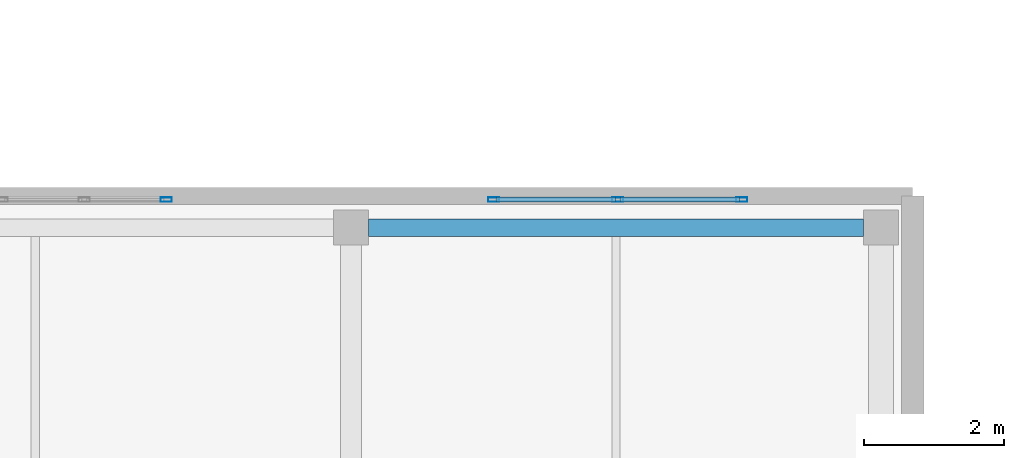
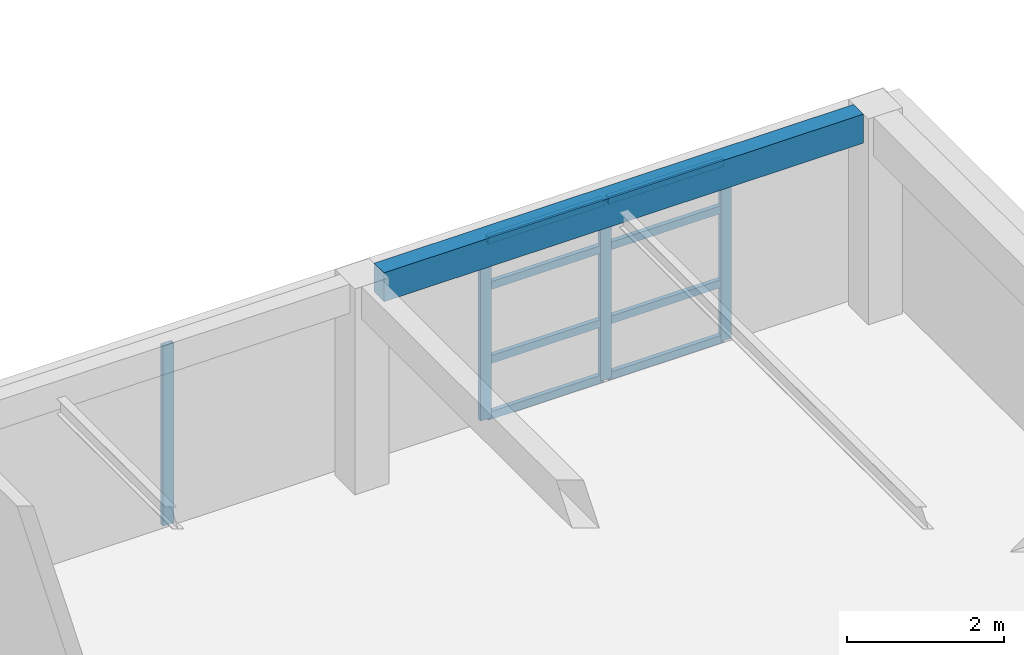
# One storey, part 30 of 89: 12 members, 1 beam, 2 elements without a shape of their own.
"""IFC4 building model written with IfcOpenShell, lengths in metres."""

import ifcopenshell
import ifcopenshell.guid

model = None  # the IFC model being written
_history = None  # IfcOwnerHistory: only IFC2X3 demands one
_inside = {}  # id of a spatial element -> (the spatial element, [elements in it])
_under = {}  # id of a project, library or spatial element -> (it, [spatial elements below it])
_declared = {}  # id of a project -> (the project, [libraries it declares])
_typed = {}  # id of a type object -> (the type object, [elements of that type])
_made_of = {}  # id of a material, layer set ... -> (it, [elements and type objects made of it])


def new_model(schema):
    """Start an empty IFC model of exactly this schema.

    Asked for "IFC4X3", IfcOpenShell would pick the latest addendum, in which some entities
    have other attributes; the version numbers below select the first issue.
    IFC2X3 requires an IfcOwnerHistory on every rooted entity: one is made here for all.
    """
    global model, _history
    if schema == "IFC4X3":
        model = ifcopenshell.file(schema_version=(4, 3, 0, 0))
    else:
        model = ifcopenshell.file(schema=schema)
    _inside.clear()
    _under.clear()
    _declared.clear()
    _typed.clear()
    _made_of.clear()
    _history = None
    if model.schema == "IFC2X3":
        org = make("IfcOrganization", Name="unknown")
        user = make(
            "IfcPersonAndOrganization",
            ThePerson=make("IfcPerson", FamilyName="unknown"),
            TheOrganization=org,
        )
        app = make(
            "IfcApplication",
            ApplicationDeveloper=org,
            Version="unknown",
            ApplicationFullName="unknown",
            ApplicationIdentifier="unknown",
        )
        _history = make(
            "IfcOwnerHistory",
            OwningUser=user,
            OwningApplication=app,
            ChangeAction="ADDED",
            CreationDate=0,
        )
    return model


def make(cls, **values):
    """One entity of the class cls with the attributes given. An attribute that is None is left unset."""
    return model.create_entity(
        cls, **{name: value for name, value in values.items() if value is not None}
    )


def rooted(cls, **values):
    """An entity with a GlobalId (a new one), such as an element, a storey or a relation."""
    return make(cls, GlobalId=ifcopenshell.guid.new(), OwnerHistory=_history, **values)


def si_unit(unit_type, name, prefix=None):
    """IfcSIUnit, for example si_unit("LENGTHUNIT", "METRE", prefix="MILLI")."""
    return make("IfcSIUnit", UnitType=unit_type, Prefix=prefix, Name=name)


def assignment(units):
    """IfcUnitAssignment: the units of a project."""
    return None if units is None else make("IfcUnitAssignment", Units=units)


def point(xyz):
    """IfcCartesianPoint."""
    return None if xyz is None else make("IfcCartesianPoint", Coordinates=xyz)


def direction(xyz):
    """IfcDirection."""
    return None if xyz is None else make("IfcDirection", DirectionRatios=xyz)


def frame(location, z_axis=None, x_axis=None):
    """IfcAxis2Placement3D, a coordinate frame: its origin and axes. An axis left out is left unset."""
    return make(
        "IfcAxis2Placement3D",
        Location=point(location),
        Axis=direction(z_axis),
        RefDirection=direction(x_axis),
    )


def frame_2d(location, x_axis=None):
    """IfcAxis2Placement2D, a coordinate frame in the plane: its origin and x axis."""
    return make(
        "IfcAxis2Placement2D", Location=point(location), RefDirection=direction(x_axis)
    )


def origin():
    """The frame at (0, 0, 0) with its axes left unset."""
    return frame((0.0, 0.0, 0.0))


def origin_2d():
    """The frame at (0, 0) in the plane with its x axis left unset."""
    return frame_2d((0.0, 0.0))


def place(relative_to, where):
    """IfcLocalPlacement: puts the frame where relative to a parent placement (None: the world)."""
    return make(
        "IfcLocalPlacement", PlacementRelTo=relative_to, RelativePlacement=where
    )


def context(
    kind, dimensions, precision=None, world=None, true_north=None, identifier=None
):
    """IfcGeometricRepresentationContext, for example the 3D "Model" context."""
    return make(
        "IfcGeometricRepresentationContext",
        ContextIdentifier=identifier,
        ContextType=kind,
        CoordinateSpaceDimension=dimensions,
        Precision=precision,
        WorldCoordinateSystem=world,
        TrueNorth=true_north,
    )


def subcontext(parent, identifier, kind, view, scale=None):
    """IfcGeometricRepresentationSubContext, for example "Body" below "Model"."""
    return make(
        "IfcGeometricRepresentationSubContext",
        ContextIdentifier=identifier,
        ContextType=kind,
        ParentContext=parent,
        TargetScale=scale,
        TargetView=view,
    )


def project(units=None, contexts=None):
    """IfcProject with its units and contexts."""
    return rooted(
        "IfcProject",
        Name="project",
        RepresentationContexts=contexts,
        UnitsInContext=assignment(units),
    )


def spatial(cls, under=None, at=None, **own):
    """A site, building, storey or space (cls), placed at a placement, below another one or the project."""
    s = rooted(cls, ObjectPlacement=at, **own)
    if under is not None:
        _under.setdefault(under.id(), (under, []))[1].append(s)
    return s


def profile(cls, at=None, kind="AREA", **sizes):
    """A parametric profile (cls). Its sizes go by their IFC names, for example OverallWidth=200.0."""
    return make(cls, ProfileType=kind, Position=at, **sizes)


def rectangle(**sizes):
    """IfcRectangleProfileDef."""
    return profile("IfcRectangleProfileDef", **sizes)


def hollow_rectangle(**sizes):
    """IfcRectangleHollowProfileDef."""
    return profile("IfcRectangleHollowProfileDef", **sizes)


def extrude(swept, where, along, depth):
    """IfcExtrudedAreaSolid: the profile swept, set in the frame where, extruded along a direction by depth."""
    return make(
        "IfcExtrudedAreaSolid",
        SweptArea=swept,
        Position=where,
        ExtrudedDirection=direction(along),
        Depth=depth,
    )


def shape(context_of_items, identifier, shape_type, items):
    """IfcShapeRepresentation: the items that make up one representation, for example the "Body"."""
    return make(
        "IfcShapeRepresentation",
        ContextOfItems=context_of_items,
        RepresentationIdentifier=identifier,
        RepresentationType=shape_type,
        Items=items,
    )


def material(Name=None, Category=None):
    """IfcMaterial."""
    return make("IfcMaterial", Name=Name, Category=Category)


def layer(
    of_material, thickness, ventilated=None, Name=None, Category=None, Priority=None
):
    """IfcMaterialLayer: one layer of a wall or slab, of a material (None: an air gap)."""
    return make(
        "IfcMaterialLayer",
        Material=of_material,
        LayerThickness=thickness,
        IsVentilated=ventilated,
        Name=Name,
        Category=Category,
        Priority=Priority,
    )


def layer_set(layers, Name=None):
    """IfcMaterialLayerSet."""
    return make("IfcMaterialLayerSet", MaterialLayers=layers, LayerSetName=Name)


def material_profile(
    of_material, cross_section, Name=None, Category=None, Priority=None
):
    """IfcMaterialProfile: a cross section and its material."""
    return make(
        "IfcMaterialProfile",
        Name=Name,
        Material=of_material,
        Profile=cross_section,
        Priority=Priority,
        Category=Category,
    )


def profile_set(profiles, Name=None, composite=None):
    """IfcMaterialProfileSet."""
    return make(
        "IfcMaterialProfileSet",
        Name=Name,
        MaterialProfiles=profiles,
        CompositeProfile=composite,
    )


def made_of(thing, what):
    """Note that an element or type object is made of a material, layer set ...; save() writes the relation."""
    if what is not None:
        _made_of.setdefault(what.id(), (what, []))[1].append(thing)
    return thing


def type_object(cls, material=None, **own):
    """A type object (cls), such as IfcWallType, which elements share."""
    return made_of(rooted(cls, **own), material)


def element(
    cls,
    number,
    at=None,
    inside=None,
    cuts=None,
    type_object=None,
    material=None,
    context=None,
    identifier="Body",
    shape_type=None,
    held_by="IfcProductDefinitionShape",
    body=None,
    shapes=None,
    **own,
):
    """One element of the class cls, such as IfcWall. Its Tag is "e" and its number.

    at: its placement. inside: the storey or other place that contains it. cuts: it is an
    opening in that element (IfcRelVoidsElement). A single representation is given by context,
    identifier, shape_type and body (its items); several are given by shapes. held_by: the class
    of the entity that holds the representations. save() writes the other relations.
    """
    e = rooted(cls, Tag="e%d" % number, ObjectPlacement=at, **own)
    if body is not None:
        shapes = [shape(context, identifier, shape_type, body)]
    if shapes is not None:
        e.Representation = make(held_by, Representations=shapes)
    if inside is not None:
        _inside.setdefault(inside.id(), (inside, []))[1].append(e)
    if cuts is not None:
        rooted(
            "IfcRelVoidsElement", RelatingBuildingElement=cuts, RelatedOpeningElement=e
        )
    if type_object is not None:
        _typed.setdefault(type_object.id(), (type_object, []))[1].append(e)
    return made_of(e, material)


def aggregate(whole, parts):
    """IfcRelAggregates: a whole, such as a stair, and the parts it consists of."""
    return rooted("IfcRelAggregates", RelatingObject=whole, RelatedObjects=parts)


def save(model, path):
    """Write the relations noted so far, then the file.

    IfcRelAggregates (storeys below a building ...), IfcRelContainedInSpatialStructure (elements
    in a storey), IfcRelDefinesByType, IfcRelAssociatesMaterial and IfcRelDeclares: one each for
    every whole, place, type object, material and project.
    """
    for whole, parts in _under.values():
        aggregate(whole, parts)
    for where, things in _inside.values():
        rooted(
            "IfcRelContainedInSpatialStructure",
            RelatedElements=things,
            RelatingStructure=where,
        )
    for kind, things in _typed.values():
        rooted("IfcRelDefinesByType", RelatedObjects=things, RelatingType=kind)
    for what, things in _made_of.values():
        rooted("IfcRelAssociatesMaterial", RelatedObjects=things, RelatingMaterial=what)
    for by, libraries in _declared.values():
        rooted("IfcRelDeclares", RelatingContext=by, RelatedDefinitions=libraries)
    model.write(path)


model = new_model("IFC4")

# Units and contexts
model_context = context("Model", 3, precision=1e-05, world=origin(), true_north=direction((0.0, 1.0)))
body_context = subcontext(model_context, "Body", "Model", "MODEL_VIEW")
ifc_project = project(units=[si_unit("LENGTHUNIT", "METRE"), si_unit("AREAUNIT", "SQUARE_METRE"), si_unit("VOLUMEUNIT", "CUBIC_METRE"), si_unit("PLANEANGLEUNIT", "RADIAN"), si_unit("MASSUNIT", "GRAM", prefix="KILO")], contexts=[model_context])

# Site, building, storey
site_placement = place(None, origin())
site = spatial("IfcSite", under=ifc_project, at=site_placement, CompositionType="ELEMENT")
building_placement = place(site_placement, origin())
building = spatial("IfcBuilding", under=site, at=building_placement, Name="Keldmere Railside Commons", CompositionType="ELEMENT")
storey_placement = place(building_placement, frame((0.0, 0.0, 7.360107421875)))
storey = spatial("IfcBuildingStorey", under=building, at=storey_placement, Name="L02", CompositionType="ELEMENT", Elevation=7.360107421875)

# Beam
ifc_material_1 = material(Name="Architectural Precast Concrete H-35 (C35/45)", Category="concrete")
ifc_material_profile_1 = material_profile(ifc_material_1, rectangle(XDim=0.25, YDim=0.449951171875, at=origin_2d()), Name="RC-250x450")
ifc_profile_set_1 = profile_set([ifc_material_profile_1], Name="Architectural Precast Concrete H-35 (C35/45)")
beam_type = type_object("IfcBeamType", Name="Perimeter Precast Spandrel Beam 250x450", PredefinedType="SPANDREL", material=ifc_profile_set_1)
beam_placement = place(storey_placement, frame((168.25, 39.550048828125, 2.974853515625), z_axis=(1.0, 0.0, 0.0), x_axis=(0.0, 1.0, 0.0)))
element("IfcBeam", 1, at=beam_placement, inside=storey, type_object=beam_type, Name="SPB-1 BM-L02-1067", PredefinedType="SPANDREL", context=body_context, shape_type="SweptSolid", body=[
    extrude(rectangle(XDim=0.25, YDim=0.449951171875, at=origin_2d()), origin(), (0.0, 0.0, 1.0), 7.050048828125),
])

# Curtain wall, member
ifc_material_2 = material(Name="Thermally Broken Aluminium", Category="aluminium")
ifc_layer_1 = layer(ifc_material_2, 0.159912109375, Name="Stair Tower Daylit Strip CW 2400x2850")
ifc_layer_set_1 = layer_set([ifc_layer_1], Name="Thermally Broken Aluminium")
curtain_wall_type_1 = type_object("IfcCurtainWallType", Name="Stair Tower Daylit Strip CW 2400x2850", PredefinedType="NOTDEFINED", material=ifc_layer_set_1)
curtain_wall_1_placement = place(storey_placement, origin())
curtain_wall_1 = element("IfcCurtainWall", 2, at=curtain_wall_1_placement, inside=storey, type_object=curtain_wall_type_1, Name="CW-18 CW-L02-228", PredefinedType="NOTDEFINED")
ifc_material_profile_2 = material_profile(ifc_material_2, hollow_rectangle(XDim=0.06494140625, YDim=0.159912109375, WallThickness=0.00390625, at=origin_2d()), Name="ALU-MULL-65x160")
ifc_profile_set_2 = profile_set([ifc_material_profile_2], Name="Thermally Broken Aluminium")
member_type_1 = type_object("IfcMemberType", Name="Unitised Curtain Wall Mullion 65x160", PredefinedType="MULLION", material=ifc_profile_set_2)
member_1_placement = place(storey_placement, frame((165.367431640625, 39.949951171875, 0.0), z_axis=(0.0, 0.0, 1.0), x_axis=(0.0, 1.0, 0.0)))
member_1 = element("IfcMember", 3, at=member_1_placement, type_object=member_type_1, Name="CW-18 mullion 3", PredefinedType="MULLION", context=body_context, shape_type="SweptSolid", body=[
    extrude(hollow_rectangle(XDim=0.06494140625, YDim=0.159912109375, WallThickness=0.00390625, at=origin_2d()), origin(), (0.0, 0.0, 1.0), 2.7998046875),
])
aggregate(curtain_wall_1, [member_1])

# Curtain wall, members
ifc_layer_2 = layer(ifc_material_2, 0.159912109375, Name="Market Arcade Upper Gallery CW 3600x2800")
ifc_layer_set_2 = layer_set([ifc_layer_2], Name="Thermally Broken Aluminium")
curtain_wall_type_2 = type_object("IfcCurtainWallType", Name="Market Arcade Upper Gallery CW 3600x2800", PredefinedType="NOTDEFINED", material=ifc_layer_set_2)
curtain_wall_2_placement = place(storey_placement, origin())
curtain_wall_2 = element("IfcCurtainWall", 4, at=curtain_wall_2_placement, inside=storey, type_object=curtain_wall_type_2, Name="CW-03 CW-L02-229", PredefinedType="NOTDEFINED")
member_2_placement = place(storey_placement, frame((170.032470703125, 39.949951171875, 0.0), z_axis=(0.0, 0.0, 1.0), x_axis=(0.0, 1.0, 0.0)))
member_2 = element("IfcMember", 5, at=member_2_placement, type_object=member_type_1, Name="CW-03 mullion 1", PredefinedType="MULLION", context=body_context, shape_type="SweptSolid", body=[
    extrude(hollow_rectangle(XDim=0.06494140625, YDim=0.159912109375, WallThickness=0.00390625, at=origin_2d()), origin(), (0.0, 0.0, 1.0), 2.7998046875),
])
member_3_placement = place(storey_placement, frame((171.800048828125, 39.949951171875, 0.0), z_axis=(0.0, 0.0, 1.0), x_axis=(0.0, 1.0, 0.0)))
member_3 = element("IfcMember", 6, at=member_3_placement, type_object=member_type_1, Name="CW-03 mullion 2", PredefinedType="MULLION", context=body_context, shape_type="SweptSolid", body=[
    extrude(hollow_rectangle(XDim=0.06494140625, YDim=0.159912109375, WallThickness=0.00390625, at=origin_2d()), origin(), (0.0, 0.0, 1.0), 2.7998046875),
])
member_4_placement = place(storey_placement, frame((173.5673828125, 39.949951171875, 0.0), z_axis=(0.0, 0.0, 1.0), x_axis=(0.0, 1.0, 0.0)))
member_4 = element("IfcMember", 7, at=member_4_placement, type_object=member_type_1, Name="CW-03 mullion 3", PredefinedType="MULLION", context=body_context, shape_type="SweptSolid", body=[
    extrude(hollow_rectangle(XDim=0.06494140625, YDim=0.159912109375, WallThickness=0.00390625, at=origin_2d()), origin(), (0.0, 0.0, 1.0), 2.7998046875),
])
ifc_material_profile_3 = material_profile(ifc_material_2, hollow_rectangle(XDim=0.06494140625, YDim=0.1201171875, WallThickness=0.00390625, at=origin_2d()), Name="ALU-TRAN-65x120")
ifc_profile_set_3 = profile_set([ifc_material_profile_3], Name="Thermally Broken Aluminium")
member_type_2 = type_object("IfcMemberType", Name="Unitised Curtain Wall Transom 65x120", PredefinedType="USERDEFINED", material=ifc_profile_set_3)
member_5_placement = place(storey_placement, frame((170.06494140625, 39.949951171875, 0.032470703125), z_axis=(1.0, 0.0, 0.0), x_axis=(0.0, 1.0, 0.0)))
member_5 = element("IfcMember", 8, at=member_5_placement, type_object=member_type_2, Name="CW-03 transom 1.1", ObjectType="TRANSOM", PredefinedType="USERDEFINED", context=body_context, shape_type="SweptSolid", body=[
    extrude(hollow_rectangle(XDim=0.06494140625, YDim=0.1201171875, WallThickness=0.00390625, at=origin_2d()), origin(), (0.0, 0.0, 1.0), 1.70263671875),
])
member_6_placement = place(storey_placement, frame((170.06494140625, 39.949951171875, 0.89990234375), z_axis=(1.0, 0.0, 0.0), x_axis=(0.0, 1.0, 0.0)))
member_6 = element("IfcMember", 9, at=member_6_placement, type_object=member_type_2, Name="CW-03 transom 1.2", ObjectType="TRANSOM", PredefinedType="USERDEFINED", context=body_context, shape_type="SweptSolid", body=[
    extrude(hollow_rectangle(XDim=0.06494140625, YDim=0.1201171875, WallThickness=0.00390625, at=origin_2d()), origin(), (0.0, 0.0, 1.0), 1.70263671875),
])
member_7_placement = place(storey_placement, frame((170.06494140625, 39.949951171875, 2.0498046875), z_axis=(1.0, 0.0, 0.0), x_axis=(0.0, 1.0, 0.0)))
member_7 = element("IfcMember", 10, at=member_7_placement, type_object=member_type_2, Name="CW-03 transom 1.3", ObjectType="TRANSOM", PredefinedType="USERDEFINED", context=body_context, shape_type="SweptSolid", body=[
    extrude(hollow_rectangle(XDim=0.06494140625, YDim=0.1201171875, WallThickness=0.00390625, at=origin_2d()), origin(), (0.0, 0.0, 1.0), 1.70263671875),
])
member_8_placement = place(storey_placement, frame((170.06494140625, 39.949951171875, 2.767333984375), z_axis=(1.0, 0.0, 0.0), x_axis=(0.0, 1.0, 0.0)))
member_8 = element("IfcMember", 11, at=member_8_placement, type_object=member_type_2, Name="CW-03 transom 1.4", ObjectType="TRANSOM", PredefinedType="USERDEFINED", context=body_context, shape_type="SweptSolid", body=[
    extrude(hollow_rectangle(XDim=0.06494140625, YDim=0.1201171875, WallThickness=0.00390625, at=origin_2d()), origin(), (0.0, 0.0, 1.0), 1.70263671875),
])
member_9_placement = place(storey_placement, frame((171.83251953125, 39.949951171875, 0.032470703125), z_axis=(1.0, 0.0, 0.0), x_axis=(0.0, 1.0, 0.0)))
member_9 = element("IfcMember", 12, at=member_9_placement, type_object=member_type_2, Name="CW-03 transom 2.1", ObjectType="TRANSOM", PredefinedType="USERDEFINED", context=body_context, shape_type="SweptSolid", body=[
    extrude(hollow_rectangle(XDim=0.06494140625, YDim=0.1201171875, WallThickness=0.00390625, at=origin_2d()), origin(), (0.0, 0.0, 1.0), 1.702392578125),
])
member_10_placement = place(storey_placement, frame((171.83251953125, 39.949951171875, 0.89990234375), z_axis=(1.0, 0.0, 0.0), x_axis=(0.0, 1.0, 0.0)))
member_10 = element("IfcMember", 13, at=member_10_placement, type_object=member_type_2, Name="CW-03 transom 2.2", ObjectType="TRANSOM", PredefinedType="USERDEFINED", context=body_context, shape_type="SweptSolid", body=[
    extrude(hollow_rectangle(XDim=0.06494140625, YDim=0.1201171875, WallThickness=0.00390625, at=origin_2d()), origin(), (0.0, 0.0, 1.0), 1.702392578125),
])
member_11_placement = place(storey_placement, frame((171.83251953125, 39.949951171875, 2.0498046875), z_axis=(1.0, 0.0, 0.0), x_axis=(0.0, 1.0, 0.0)))
member_11 = element("IfcMember", 14, at=member_11_placement, type_object=member_type_2, Name="CW-03 transom 2.3", ObjectType="TRANSOM", PredefinedType="USERDEFINED", context=body_context, shape_type="SweptSolid", body=[
    extrude(hollow_rectangle(XDim=0.06494140625, YDim=0.1201171875, WallThickness=0.00390625, at=origin_2d()), origin(), (0.0, 0.0, 1.0), 1.702392578125),
])
member_12_placement = place(storey_placement, frame((171.83251953125, 39.949951171875, 2.767333984375), z_axis=(1.0, 0.0, 0.0), x_axis=(0.0, 1.0, 0.0)))
member_12 = element("IfcMember", 15, at=member_12_placement, type_object=member_type_2, Name="CW-03 transom 2.4", ObjectType="TRANSOM", PredefinedType="USERDEFINED", context=body_context, shape_type="SweptSolid", body=[
    extrude(hollow_rectangle(XDim=0.06494140625, YDim=0.1201171875, WallThickness=0.00390625, at=origin_2d()), origin(), (0.0, 0.0, 1.0), 1.702392578125),
])
aggregate(curtain_wall_2, [member_2, member_3, member_4, member_5, member_6, member_7, member_8, member_9, member_10, member_11, member_12])

save(model, "model.ifc")
